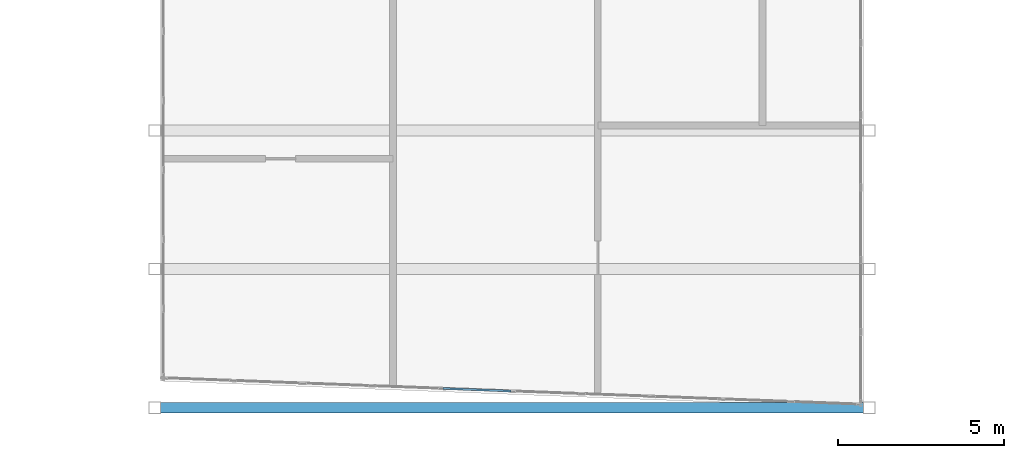
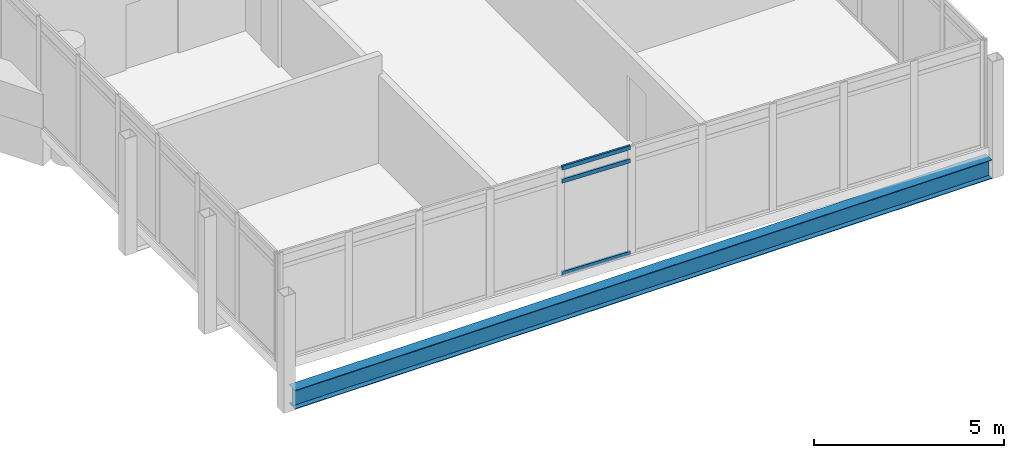
# One storey, part 3 of 25: 3 members, 1 beam, 1 element without a shape of its own.
"""IFC4 building model written with IfcOpenShell, lengths in metres."""

from ifc_helpers import new_model, si_unit, direction, frame, origin, origin_2d, place, context, subcontext, project, spatial, hollow_rectangle, i_section, extrude, material, material_profile, profile_set, type_object, element, aggregate, save


model = new_model("IFC4")

# Units and contexts
model_context = context("Model", 3, precision=1e-05, world=origin(), true_north=direction((0.0, 1.0)))
body_context = subcontext(model_context, "Body", "Model", "MODEL_VIEW")
ifc_project = project(units=[si_unit("LENGTHUNIT", "METRE"), si_unit("AREAUNIT", "SQUARE_METRE"), si_unit("VOLUMEUNIT", "CUBIC_METRE"), si_unit("PLANEANGLEUNIT", "RADIAN"), si_unit("MASSUNIT", "GRAM", prefix="KILO")], contexts=[model_context])

# Site, building, storey
site_placement = place(None, origin())
site = spatial("IfcSite", under=ifc_project, at=site_placement, CompositionType="ELEMENT")
building_placement = place(site_placement, origin())
building = spatial("IfcBuilding", under=site, at=building_placement, Name="Ostrander Bayou Hotel Tower", CompositionType="ELEMENT")
storey_placement = place(building_placement, frame((0.0, 0.0, 229.5)))
storey = spatial("IfcBuildingStorey", under=building, at=storey_placement, Name="L57", CompositionType="ELEMENT", Elevation=229.5)

# Curtain wall, members
ifc_material_1 = material(Name="Aluminium and clear glass", Category="aluminium")
curtain_wall_type = type_object("IfcCurtainWallType", Name="CW-BAR glazed wall", PredefinedType="NOTDEFINED", material=ifc_material_1)
curtain_wall_placement = place(storey_placement, origin())
curtain_wall = element("IfcCurtainWall", 1, at=curtain_wall_placement, inside=storey, type_object=curtain_wall_type, Name="CW-BAR L57:SB5S:T", PredefinedType="NOTDEFINED")
ifc_material_2 = material(Name="Aluminium", Category="aluminium")
ifc_material_profile_1 = material_profile(ifc_material_2, hollow_rectangle(XDim=0.06005859375, YDim=0.1298828125, WallThickness=0.00390625, at=origin_2d()))
ifc_profile_set_1 = profile_set([ifc_material_profile_1], Name="Aluminium")
member_type = type_object("IfcMemberType", Name="CW-BR transom 60 x 130 mm", PredefinedType="USERDEFINED", material=ifc_profile_set_1)
member_1_placement = place(storey_placement, frame((-2.072509765625, -28.921630859375, 0.030029296875), z_axis=(0.999287402917, -0.037745017849, 0.0), x_axis=(0.037745017849, 0.999287402917, 0.0)))
member_1 = element("IfcMember", 2, at=member_1_placement, type_object=member_type, Name="CW-BAR transom 5.1", ObjectType="TRANSOM", PredefinedType="USERDEFINED", context=body_context, shape_type="SweptSolid", body=[
    extrude(hollow_rectangle(XDim=0.06005859375, YDim=0.1298828125, WallThickness=0.00390625, at=origin_2d()), origin(), (0.0, 0.0, 1.0), 2.0439453125),
])
member_2_placement = place(storey_placement, frame((-2.072509765625, -28.921630859375, 3.0), z_axis=(0.999287402917, -0.037745017849, 0.0), x_axis=(0.037745017849, 0.999287402917, 0.0)))
member_2 = element("IfcMember", 3, at=member_2_placement, type_object=member_type, Name="CW-BAR transom 5.2", ObjectType="TRANSOM", PredefinedType="USERDEFINED", context=body_context, shape_type="SweptSolid", body=[
    extrude(hollow_rectangle(XDim=0.06005859375, YDim=0.1298828125, WallThickness=0.00390625, at=origin_2d()), origin(), (0.0, 0.0, 1.0), 2.0439453125),
])
member_3_placement = place(storey_placement, frame((-2.072509765625, -28.921630859375, 3.419921875), z_axis=(0.999287402917, -0.037745017849, 0.0), x_axis=(0.037745017849, 0.999287402917, 0.0)))
member_3 = element("IfcMember", 4, at=member_3_placement, type_object=member_type, Name="CW-BAR transom 5.3", ObjectType="TRANSOM", PredefinedType="USERDEFINED", context=body_context, shape_type="SweptSolid", body=[
    extrude(hollow_rectangle(XDim=0.06005859375, YDim=0.1298828125, WallThickness=0.00390625, at=origin_2d()), origin(), (0.0, 0.0, 1.0), 2.0439453125),
])
aggregate(curtain_wall, [member_1, member_2, member_3])

# Beam
ifc_material_3 = material(Name="Steel ASTM A992", Category="steel")
ifc_material_profile_2 = material_profile(ifc_material_3, i_section(OverallWidth=0.32373046875, OverallDepth=0.611083984375, WebThickness=0.0126953125, FlangeThickness=0.01904296875, at=origin_2d()))
ifc_profile_set_2 = profile_set([ifc_material_profile_2], Name="Steel ASTM A992")
beam_type = type_object("IfcBeamType", Name="TF2 bar floor beam W24x104", PredefinedType="BEAM", material=ifc_profile_set_2)
beam_placement = place(storey_placement, frame((-10.587158203125, -29.5, -0.605712890625), z_axis=(1.0, 0.0, 0.0), x_axis=(0.0, 1.0, 0.0)))
element("IfcBeam", 5, at=beam_placement, inside=storey, type_object=beam_type, Name="TF2 SB5S L3-3", PredefinedType="BEAM", context=body_context, shape_type="SweptSolid", body=[
    extrude(i_section(OverallWidth=0.32373046875, OverallDepth=0.611083984375, WebThickness=0.0126953125, FlangeThickness=0.01904296875, at=origin_2d()), origin(), (0.0, 0.0, 1.0), 21.17431640625),
])

save(model, "model.ifc")
